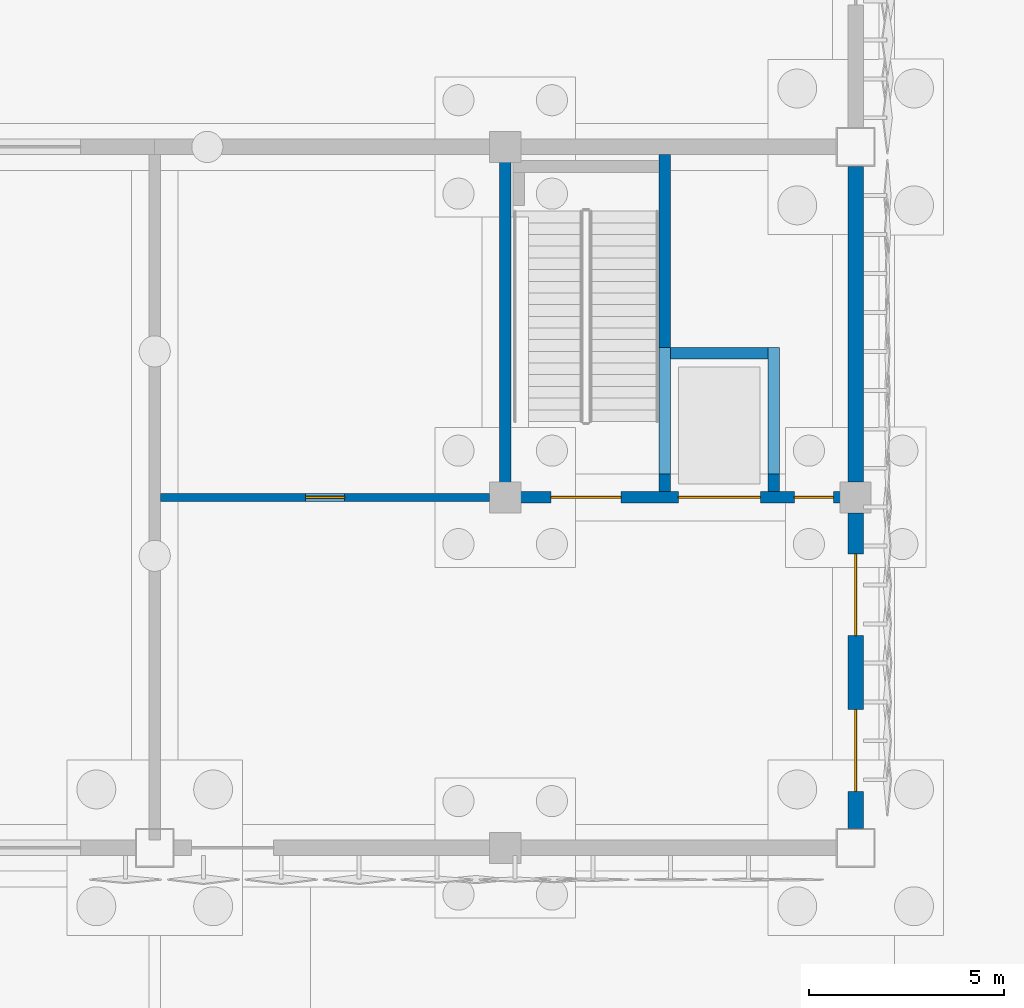
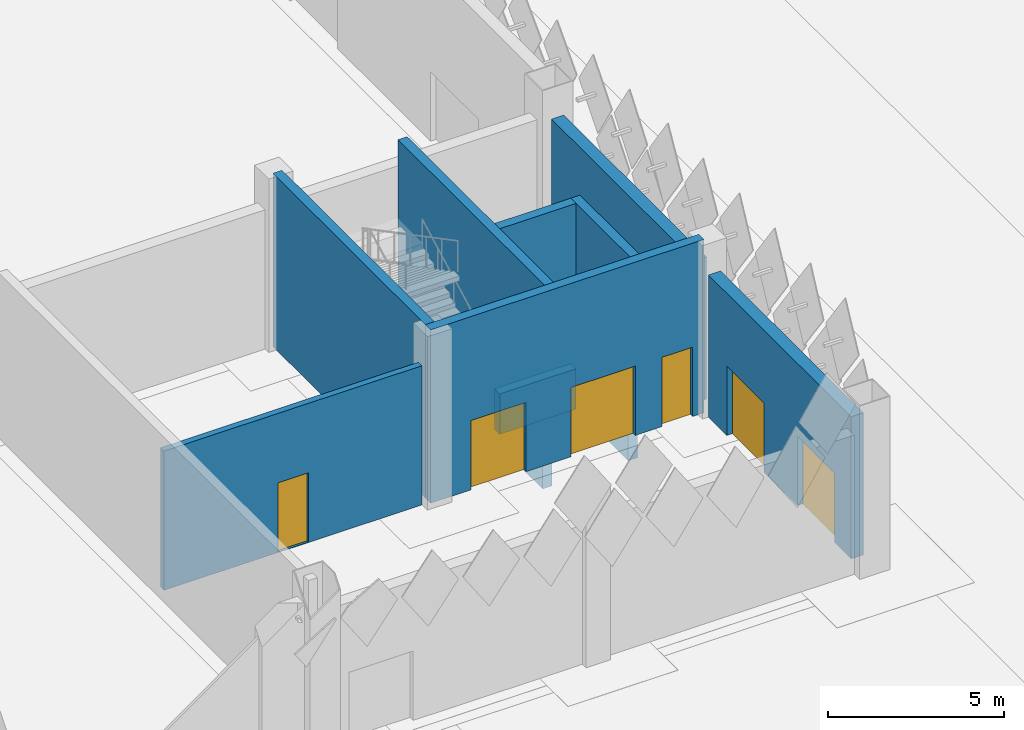
# One storey, part 88 of 198: 11 walls, 6 doors, 6 openings.
"""IFC4 building model written with IfcOpenShell, lengths in metres."""

from ifc_helpers import new_model, si_unit, direction, frame, frame_2d, origin, place, context, subcontext, project, spatial, rectangle, extrude, material, layer, layer_set, type_object, element, fill, save


model = new_model("IFC4")

# Units and contexts
model_context = context("Model", 3, precision=1e-05, world=origin(), true_north=direction((0.0, 1.0)))
body_context = subcontext(model_context, "Body", "Model", "MODEL_VIEW")
ifc_project = project(units=[si_unit("LENGTHUNIT", "METRE"), si_unit("AREAUNIT", "SQUARE_METRE"), si_unit("VOLUMEUNIT", "CUBIC_METRE"), si_unit("PLANEANGLEUNIT", "RADIAN"), si_unit("MASSUNIT", "GRAM", prefix="KILO")], contexts=[model_context])

# Site, building, storey
site_placement = place(None, origin())
site = spatial("IfcSite", under=ifc_project, at=site_placement, CompositionType="ELEMENT")
building_placement = place(site_placement, origin())
building = spatial("IfcBuilding", under=site, at=building_placement, Name="Opaline Strait Convention Centre", CompositionType="ELEMENT")
storey_placement = place(building_placement, origin())
storey = spatial("IfcBuildingStorey", under=building, at=storey_placement, Name="L00", CompositionType="ELEMENT", Elevation=0.0)

# Wall, openings, doors
ifc_material_1 = material(Name="Concrete C40", Category="concrete")
ifc_layer_1 = layer(ifc_material_1, 0.25)
ifc_material_2 = material(Name="Mineral wool insulation")
ifc_layer_2 = layer(ifc_material_2, 0.10009765625)
ifc_material_3 = material(Name="Gypsum board lining")
ifc_layer_3 = layer(ifc_material_3, 0.050048828125)
ifc_layer_set_1 = layer_set([ifc_layer_1, ifc_layer_2, ifc_layer_3], Name="Concrete C40, Mineral wool insulation, Gypsum board lining")
wall_type_1 = type_object("IfcWallType", Name="External wall RC 400 insulated", PredefinedType="SOLIDWALL", material=ifc_layer_set_1)
wall_1_placement = place(storey_placement, frame((261.0, 54.5, 0.0), z_axis=(0.0, 0.0, 1.0), x_axis=(0.0, 1.0, 0.0)))
wall_1 = element("IfcWall", 1, at=wall_1_placement, inside=storey, type_object=wall_type_1, Name="External wall E1", PredefinedType="SOLIDWALL", context=body_context, shape_type="SweptSolid", body=[
    extrude(rectangle(XDim=8.10009765625, YDim=0.39990234375, at=frame_2d((4.050048828125, 0.0))), origin(), (0.0, 0.0, 1.0), 4.919921875),
])
opening_1_placement = place(wall_1_placement, frame((0.949951171875, 0.0, 0.0)))
opening_1 = element("IfcOpeningElement", 2, at=opening_1_placement, cuts=wall_1, Name="Opening X0-051", PredefinedType="OPENING", context=body_context, shape_type="SweptSolid", body=[
    extrude(rectangle(XDim=2.10009765625, YDim=2.39990234375, at=frame_2d((1.050048828125, 1.199951171875))), frame((0.0, 0.2099609375, 0.0), z_axis=(0.0, -1.0, 0.0), x_axis=(1.0, 0.0, 0.0)), (0.0, 0.0, 1.0), 0.419921875),
])
opening_2_placement = place(wall_1_placement, frame((4.949951171875, 0.0, 0.0)))
opening_2 = element("IfcOpeningElement", 3, at=opening_2_placement, cuts=wall_1, Name="Opening X0-052", PredefinedType="OPENING", context=body_context, shape_type="SweptSolid", body=[
    extrude(rectangle(XDim=2.10009765625, YDim=2.39990234375, at=frame_2d((1.050048828125, 1.199951171875))), frame((0.0, 0.2099609375, 0.0), z_axis=(0.0, -1.0, 0.0), x_axis=(1.0, 0.0, 0.0)), (0.0, 0.0, 1.0), 0.419921875),
])
ifc_material_4 = material(Name="Steel Q235B", Category="steel")
door_type_1 = type_object("IfcDoorType", Name="Dock pedestrian door pair 2100 x 2400", OperationType="DOUBLE_DOOR_SINGLE_SWING", PredefinedType="DOOR", material=ifc_material_4)
door_1_placement = place(opening_1_placement, frame((2.10009765625, 0.0, 0.0), z_axis=(0.0, 0.0, 1.0), x_axis=(-1.0, 0.0, 0.0)))
door_1 = element("IfcDoor", 4, at=door_1_placement, inside=storey, type_object=door_type_1, Name="Dock pedestrian door E1", ObjectType="XD6", OperationType="DOUBLE_DOOR_SINGLE_SWING", OverallHeight=2.39990234375, OverallWidth=2.10009765625, PredefinedType="DOOR", context=body_context, shape_type="SweptSolid", body=[
    extrude(rectangle(XDim=2.10009765625, YDim=2.39990234375, at=frame_2d((1.050048828125, 1.199951171875))), frame((0.0, 0.02490234375, 0.0), z_axis=(0.0, -1.0, 0.0), x_axis=(1.0, 0.0, 0.0)), (0.0, 0.0, 1.0), 0.050048828125),
])
fill(opening_1, door_1)
door_2_placement = place(opening_2_placement, frame((2.10009765625, 0.0, 0.0), z_axis=(0.0, 0.0, 1.0), x_axis=(-1.0, 0.0, 0.0)))
door_2 = element("IfcDoor", 5, at=door_2_placement, inside=storey, type_object=door_type_1, Name="Dock pedestrian door E2", ObjectType="XD6", OperationType="DOUBLE_DOOR_SINGLE_SWING", OverallHeight=2.39990234375, OverallWidth=2.10009765625, PredefinedType="DOOR", context=body_context, shape_type="SweptSolid", body=[
    extrude(rectangle(XDim=2.10009765625, YDim=2.39990234375, at=frame_2d((1.050048828125, 1.199951171875))), frame((0.0, 0.02490234375, 0.0), z_axis=(0.0, -1.0, 0.0), x_axis=(1.0, 0.0, 0.0)), (0.0, 0.0, 1.0), 0.050048828125),
])
fill(opening_2, door_2)

# Walls
ifc_layer_4 = layer(ifc_material_1, 0.300048828125)
ifc_layer_5 = layer(ifc_material_2, 0.050048828125)
ifc_layer_6 = layer(ifc_material_3, 0.050048828125)
ifc_layer_set_2 = layer_set([ifc_layer_4, ifc_layer_5, ifc_layer_6], Name="Concrete C40, Mineral wool insulation, Gypsum board lining")
wall_type_2 = type_object("IfcWallType", Name="External wall RC 400 stair core", PredefinedType="SOLIDWALL", material=ifc_layer_set_2)
wall_2_placement = place(storey_placement, frame((261.0, 63.39990234375, 0.0), z_axis=(0.0, 0.0, 1.0), x_axis=(0.0, 1.0, 0.0)))
element("IfcWall", 6, at=wall_2_placement, inside=storey, type_object=wall_type_2, Name="External wall E2", PredefinedType="SOLIDWALL", context=body_context, shape_type="SweptSolid", body=[
    extrude(rectangle(XDim=8.10009765625, YDim=0.39990234375, at=frame_2d((4.050048828125, 0.0))), origin(), (0.0, 0.0, 1.0), 4.919921875),
])
ifc_layer_7 = layer(ifc_material_1, 0.300048828125)
ifc_layer_set_3 = layer_set([ifc_layer_7], Name="Concrete C40")
wall_type_3 = type_object("IfcWallType", Name="Lift pit wall RC 300 C40", PredefinedType="SHEAR", material=ifc_layer_set_3)
for number, where, z_axis, x_axis, name in (
    (7, (256.10009765625, 63.60009765625, -1.39990234375), (0.0, 0.0, 1.0), (0.0, 1.0, 0.0), "EXB-LPW-4-W"),
    (8, (258.89990234375, 63.60009765625, -1.39990234375), (0.0, 0.0, 1.0), (0.0, 1.0, 0.0), "EXB-LPW-4-E"),
):
    element("IfcWall", number, at=place(storey_placement, frame(where, z_axis=z_axis, x_axis=x_axis)), inside=storey, type_object=wall_type_3, Name=name, PredefinedType="SHEAR", context=body_context, shape_type="SweptSolid", body=[
        extrude(rectangle(XDim=3.25, YDim=0.300048828125, at=frame_2d((1.625, 0.0))), origin(), (0.0, 0.0, 1.0), 1.39990234375),
    ])
wall_3_placement = place(storey_placement, frame((256.25, 66.699951171875, -1.39990234375), z_axis=(0.0, 0.0, 1.0), x_axis=(1.0, 0.0, 0.0)))
element("IfcWall", 9, at=wall_3_placement, inside=storey, type_object=wall_type_3, Name="EXB-LPW-4-N", PredefinedType="SHEAR", context=body_context, shape_type="SweptSolid", body=[
    extrude(rectangle(XDim=2.5, YDim=0.300048828125, at=frame_2d((1.25, 0.0))), origin(), (0.0, 0.0, 1.0), 1.39990234375),
])
ifc_layer_8 = layer(ifc_material_1, 0.300048828125)
ifc_layer_set_4 = layer_set([ifc_layer_8], Name="Concrete C40")
wall_type_4 = type_object("IfcWallType", Name="Lift shaft wall RC 300 C40", PredefinedType="SHEAR", material=ifc_layer_set_4)
wall_4_placement = place(storey_placement, frame((256.10009765625, 63.14990234375, 0.0), z_axis=(0.0, 0.0, 1.0), x_axis=(0.0, 1.0, 0.0)))
element("IfcWall", 10, at=wall_4_placement, inside=storey, type_object=wall_type_4, Name="EXB-LS-4-W1-L00", PredefinedType="SHEAR", context=body_context, shape_type="SweptSolid", body=[
    extrude(rectangle(XDim=8.650146484375, YDim=0.300048828125, at=frame_2d((4.3251953125, 0.0))), origin(), (0.0, 0.0, 1.0), 5.719970703125),
])
wall_5_placement = place(storey_placement, frame((258.89990234375, 63.14990234375, 0.0), z_axis=(0.0, 0.0, 1.0), x_axis=(0.0, 1.0, 0.0)))
element("IfcWall", 11, at=wall_5_placement, inside=storey, type_object=wall_type_4, Name="EXB-LS-4-W2-L00", PredefinedType="SHEAR", context=body_context, shape_type="SweptSolid", body=[
    extrude(rectangle(XDim=3.7001953125, YDim=0.300048828125, at=frame_2d((1.85009765625, 0.0))), origin(), (0.0, 0.0, 1.0), 5.719970703125),
])
wall_6_placement = place(storey_placement, frame((256.25, 66.699951171875, 0.0), z_axis=(0.0, 0.0, 1.0), x_axis=(1.0, 0.0, 0.0)))
element("IfcWall", 12, at=wall_6_placement, inside=storey, type_object=wall_type_4, Name="EXB-LS-4-N-L00", PredefinedType="SHEAR", context=body_context, shape_type="SweptSolid", body=[
    extrude(rectangle(XDim=2.5, YDim=0.300048828125, at=frame_2d((1.25, 0.0))), origin(), (0.0, 0.0, 1.0), 5.719970703125),
])

# Wall, opening, door
ifc_material_5 = material(Name="Lightweight blockwork", Category="masonry")
ifc_layer_9 = layer(ifc_material_5, 0.199951171875)
ifc_layer_set_5 = layer_set([ifc_layer_9], Name="Lightweight blockwork")
wall_type_5 = type_object("IfcWallType", Name="Partition EI 60 blockwork 200", PredefinedType="PARTITIONING", material=ifc_layer_set_5)
wall_7_placement = place(storey_placement, frame((243.14990234375, 63.0, 0.0), z_axis=(0.0, 0.0, 1.0), x_axis=(1.0, 0.0, 0.0)))
wall_7 = element("IfcWall", 13, at=wall_7_placement, inside=storey, type_object=wall_type_5, Name="Dock wall to the back row", PredefinedType="PARTITIONING", context=body_context, shape_type="SweptSolid", body=[
    extrude(rectangle(XDim=8.4501953125, YDim=0.199951171875, at=frame_2d((4.22509765625, 0.0))), origin(), (0.0, 0.0, 1.0), 4.820068359375),
])
opening_3_placement = place(wall_7_placement, frame((3.72509765625, 0.0, 0.014892578125)))
opening_3 = element("IfcOpeningElement", 14, at=opening_3_placement, cuts=wall_7, Name="Opening X0-100", PredefinedType="OPENING", context=body_context, shape_type="SweptSolid", body=[
    extrude(rectangle(XDim=1.0, YDim=2.39990234375, at=frame_2d((0.5, 1.199951171875))), frame((0.0, 0.10986328125, 0.0), z_axis=(0.0, -1.0, 0.0), x_axis=(1.0, 0.0, 0.0)), (0.0, 0.0, 1.0), 0.219970703125),
])
door_type_2 = type_object("IfcDoorType", Name="Single door FD30 1000 x 2400", OperationType="SINGLE_SWING_LEFT", PredefinedType="DOOR", material=ifc_material_4)
door_3_placement = place(opening_3_placement, origin())
door_3 = element("IfcDoor", 15, at=door_3_placement, inside=storey, type_object=door_type_2, Name="Exhibitor Store East door", ObjectType="XD8", OperationType="SINGLE_SWING_RIGHT", OverallHeight=2.39990234375, OverallWidth=1.0, PredefinedType="DOOR", context=body_context, shape_type="SweptSolid", body=[
    extrude(rectangle(XDim=1.0, YDim=2.39990234375, at=frame_2d((0.5, 1.199951171875))), frame((0.0, 0.02490234375, 0.0), z_axis=(0.0, -1.0, 0.0), x_axis=(1.0, 0.0, 0.0)), (0.0, 0.0, 1.0), 0.050048828125),
])
fill(opening_3, door_3)

# Wall, openings, doors
ifc_layer_10 = layer(ifc_material_1, 0.300048828125)
ifc_layer_set_6 = layer_set([ifc_layer_10], Name="Concrete C40")
wall_type_6 = type_object("IfcWallType", Name="RC core wall 300 C40", PredefinedType="SHEAR", material=ifc_layer_set_6)
wall_8_placement = place(storey_placement, frame((251.85009765625, 63.0, 0.0), z_axis=(0.0, 0.0, 1.0), x_axis=(1.0, 0.0, 0.0)))
wall_8 = element("IfcWall", 16, at=wall_8_placement, inside=storey, type_object=wall_type_6, Name="Core 4 wall S", PredefinedType="SHEAR", context=body_context, shape_type="SweptSolid", body=[
    extrude(rectangle(XDim=8.949951171875, YDim=0.300048828125, at=frame_2d((4.47509765625, 0.0))), origin(), (0.0, 0.0, 1.0), 6.0),
])
opening_4_placement = place(wall_8_placement, frame((1.324951171875, 0.0, 0.0)))
opening_4 = element("IfcOpeningElement", 17, at=opening_4_placement, cuts=wall_8, Name="Opening X0-107", PredefinedType="OPENING", context=body_context, shape_type="SweptSolid", body=[
    extrude(rectangle(XDim=1.800048828125, YDim=2.39990234375, at=frame_2d((0.89990234375, 1.199951171875))), frame((0.0, 0.159912109375, 0.0), z_axis=(0.0, -1.0, 0.0), x_axis=(1.0, 0.0, 0.0)), (0.0, 0.0, 1.0), 0.320068359375),
])
opening_5_placement = place(wall_8_placement, frame((4.60009765625, 0.0, 0.0)))
opening_5 = element("IfcOpeningElement", 18, at=opening_5_placement, cuts=wall_8, Name="Opening XLD4-0", PredefinedType="OPENING", context=body_context, shape_type="SweptSolid", body=[
    extrude(rectangle(XDim=2.10009765625, YDim=2.39990234375, at=frame_2d((1.050048828125, 1.199951171875))), frame((0.0, 0.159912109375, 0.0), z_axis=(0.0, -1.0, 0.0), x_axis=(1.0, 0.0, 0.0)), (0.0, 0.0, 1.0), 0.320068359375),
])
opening_6_placement = place(wall_8_placement, frame((7.574951171875, 0.0, 0.0)))
opening_6 = element("IfcOpeningElement", 19, at=opening_6_placement, cuts=wall_8, Name="Opening X0-108", PredefinedType="OPENING", context=body_context, shape_type="SweptSolid", body=[
    extrude(rectangle(XDim=1.0, YDim=2.39990234375, at=frame_2d((0.5, 1.199951171875))), frame((0.0, 0.159912109375, 0.0), z_axis=(0.0, -1.0, 0.0), x_axis=(1.0, 0.0, 0.0)), (0.0, 0.0, 1.0), 0.320068359375),
])
ifc_material_6 = material(Name="Stainless steel 304", Category="steel")
door_type_3 = type_object("IfcDoorType", Name="Lift landing door 2100 x 2400", OperationType="DOUBLE_DOOR_SLIDING", PredefinedType="DOOR", material=ifc_material_6)
door_4_placement = place(opening_5_placement, origin())
door_4 = element("IfcDoor", 20, at=door_4_placement, inside=storey, type_object=door_type_3, Name="Goods lift 4 landing door L00", ObjectType="XLD", OperationType="DOUBLE_DOOR_SLIDING", OverallHeight=2.39990234375, OverallWidth=2.10009765625, PredefinedType="DOOR", context=body_context, shape_type="SweptSolid", body=[
    extrude(rectangle(XDim=2.10009765625, YDim=2.39990234375, at=frame_2d((1.050048828125, 1.199951171875))), frame((0.0, 0.02490234375, 0.0), z_axis=(0.0, -1.0, 0.0), x_axis=(1.0, 0.0, 0.0)), (0.0, 0.0, 1.0), 0.050048828125),
])
fill(opening_5, door_4)
door_5_placement = place(opening_6_placement, origin())
door_5 = element("IfcDoor", 21, at=door_5_placement, inside=storey, type_object=door_type_2, Name="Services riser 4 door L00", ObjectType="XD8", OperationType="SINGLE_SWING_RIGHT", OverallHeight=2.39990234375, OverallWidth=1.0, PredefinedType="DOOR", context=body_context, shape_type="SweptSolid", body=[
    extrude(rectangle(XDim=1.0, YDim=2.39990234375, at=frame_2d((0.5, 1.199951171875))), frame((0.0, 0.02490234375, 0.0), z_axis=(0.0, -1.0, 0.0), x_axis=(1.0, 0.0, 0.0)), (0.0, 0.0, 1.0), 0.050048828125),
])
fill(opening_6, door_5)
door_type_4 = type_object("IfcDoorType", Name="Stair door pair FD60 1800 x 2400", OperationType="DOUBLE_DOOR_SINGLE_SWING", PredefinedType="DOOR", material=ifc_material_4)
door_6_placement = place(opening_4_placement, frame((1.800048828125, 0.0, 0.0), z_axis=(0.0, 0.0, 1.0), x_axis=(-1.0, 0.0, 0.0)))
door_6 = element("IfcDoor", 22, at=door_6_placement, inside=storey, type_object=door_type_4, Name="Stair 4 door L00", ObjectType="XD7", OperationType="DOUBLE_DOOR_SINGLE_SWING", OverallHeight=2.39990234375, OverallWidth=1.800048828125, PredefinedType="DOOR", context=body_context, shape_type="SweptSolid", body=[
    extrude(rectangle(XDim=1.800048828125, YDim=2.39990234375, at=frame_2d((0.89990234375, 1.199951171875))), frame((0.0, 0.02490234375, 0.0), z_axis=(0.0, -1.0, 0.0), x_axis=(1.0, 0.0, 0.0)), (0.0, 0.0, 1.0), 0.050048828125),
])
fill(opening_4, door_6)

# Wall
wall_9_placement = place(storey_placement, frame((252.0, 63.14990234375, 0.0), z_axis=(0.0, 0.0, 1.0), x_axis=(0.0, 1.0, 0.0)))
element("IfcWall", 23, at=wall_9_placement, inside=storey, type_object=wall_type_6, Name="Core 4 wall W", PredefinedType="SHEAR", context=body_context, shape_type="SweptSolid", body=[
    extrude(rectangle(XDim=8.650146484375, YDim=0.300048828125, at=frame_2d((4.3251953125, 0.0))), origin(), (0.0, 0.0, 1.0), 6.0),
])

save(model, "model.ifc")
